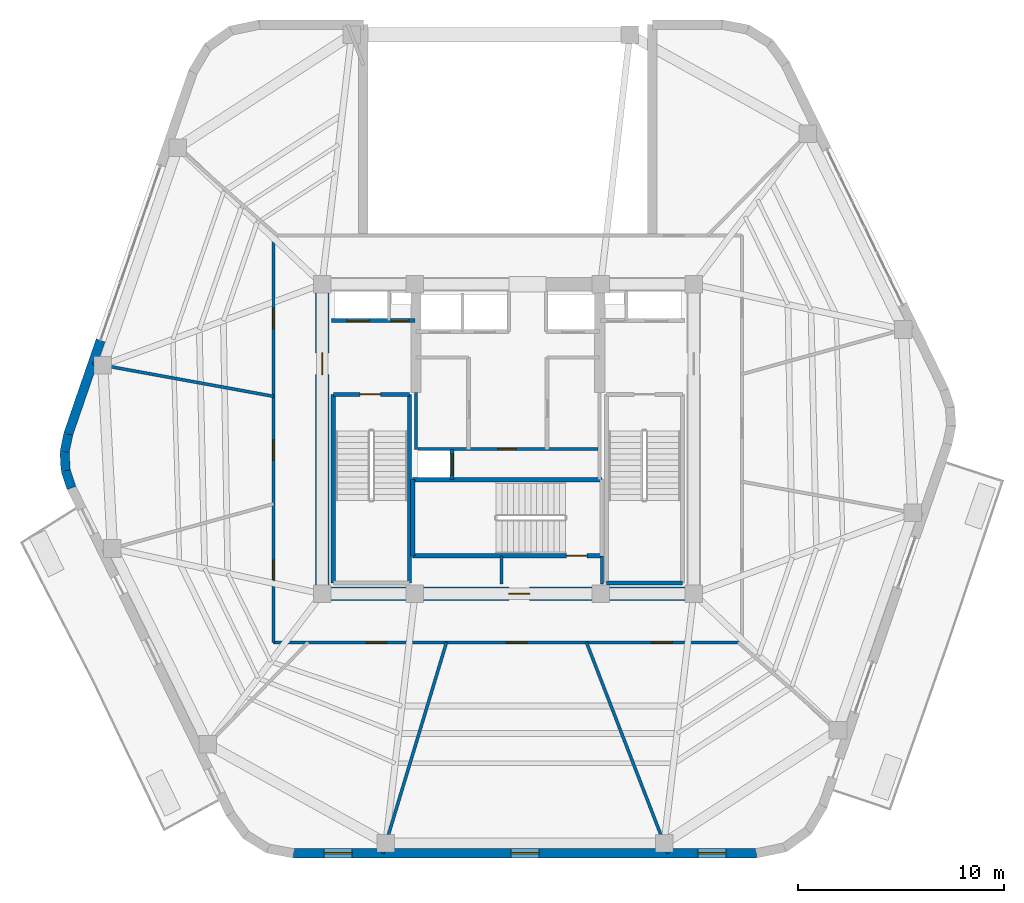
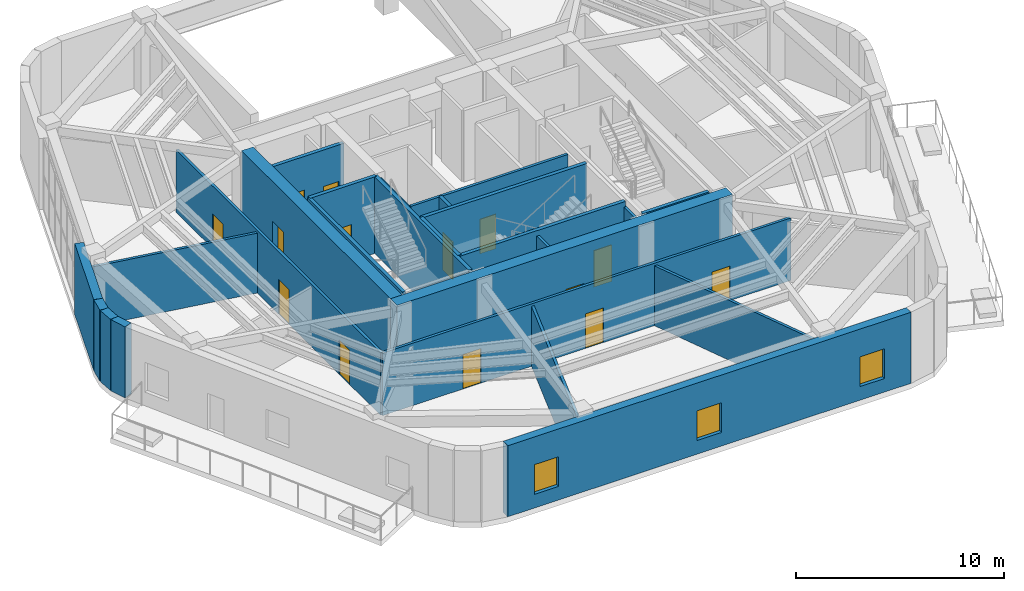
# One storey, part 11 of 15: 25 walls, 14 doors, 3 windows, 17 openings.
"""IFC4 building model written with IfcOpenShell, lengths in metres."""

from ifc_helpers import new_model, si_unit, direction, frame, frame_2d, origin, place, context, subcontext, project, spatial, rectangle, extrude, material, layer, layer_set, type_object, element, fill, save


model = new_model("IFC4")

# Units and contexts
model_context = context("Model", 3, precision=1e-05, world=origin(), true_north=direction((0.0, 1.0)))
body_context = subcontext(model_context, "Body", "Model", "MODEL_VIEW")
ifc_project = project(units=[si_unit("LENGTHUNIT", "METRE"), si_unit("AREAUNIT", "SQUARE_METRE"), si_unit("VOLUMEUNIT", "CUBIC_METRE"), si_unit("PLANEANGLEUNIT", "RADIAN"), si_unit("MASSUNIT", "GRAM", prefix="KILO")], contexts=[model_context])

# Site, building, storey
site_placement = place(None, origin())
site = spatial("IfcSite", under=ifc_project, at=site_placement, CompositionType="ELEMENT")
building_placement = place(site_placement, origin())
building = spatial("IfcBuilding", under=site, at=building_placement, Name="Kilnhurst Terrace Hotel", CompositionType="ELEMENT")
storey_placement = place(building_placement, frame((0.0, 0.0, 293.10009765625)))
storey = spatial("IfcBuildingStorey", under=building, at=storey_placement, Name="L73", CompositionType="ELEMENT", Elevation=293.10009765625)

# Walls
ifc_material_1 = material(Name="Precast concrete C40/50", Category="concrete")
ifc_layer_1 = layer(ifc_material_1, 0.449951171875, Name="Precast concrete C40/50")
ifc_layer_set_1 = layer_set([ifc_layer_1], Name="Precast concrete C40/50")
wall_type_1 = type_object("IfcWallType", Name="WL-BRK-450", PredefinedType="SOLIDWALL", material=ifc_layer_set_1)
wall_1_placement = place(storey_placement, frame((-21.297607421875, 0.2333984375, 0.0), z_axis=(0.0, 0.0, 1.0), x_axis=(-0.199158176661, -0.979967356941, 0.0)))
element("IfcWall", 1, at=wall_1_placement, inside=storey, type_object=wall_type_1, Name="L73 Rounded Corner Brick Wall C6.1", PredefinedType="SOLIDWALL", context=body_context, shape_type="SweptSolid", body=[
    extrude(rectangle(XDim=0.894775390625, YDim=0.449951171875, at=frame_2d((0.447265625, 0.0))), origin(), (0.0, 0.0, 1.0), 4.179931640625),
])
wall_2_placement = place(storey_placement, frame((-21.475830078125, -0.6435546875, 0.0), z_axis=(0.0, 0.0, 1.0), x_axis=(0.061031097918, -0.998135865044, 0.0)))
element("IfcWall", 2, at=wall_2_placement, inside=storey, type_object=wall_type_1, Name="L73 Rounded Corner Brick Wall C6.2", PredefinedType="SOLIDWALL", context=body_context, shape_type="SweptSolid", body=[
    extrude(rectangle(XDim=0.880126953125, YDim=0.449951171875, at=frame_2d((0.43994140625, 0.0))), origin(), (0.0, 0.0, 1.0), 4.179931640625),
])
wall_3_placement = place(storey_placement, frame((-21.422119140625, -1.52197265625, 0.0), z_axis=(0.0, 0.0, 1.0), x_axis=(0.316964162323, -0.94843751497, 0.0)))
element("IfcWall", 3, at=wall_3_placement, inside=storey, type_object=wall_type_1, Name="L73 Rounded Corner Brick Wall C6.3", PredefinedType="SOLIDWALL", context=body_context, shape_type="SweptSolid", body=[
    extrude(rectangle(XDim=0.89501953125, YDim=0.449951171875, at=frame_2d((0.447509765625, 0.0))), origin(), (0.0, 0.0, 1.0), 4.179931640625),
])

# Wall, openings, windows
wall_4_placement = place(storey_placement, frame((-10.37890625, -20.074951171875, 0.0), z_axis=(0.0, 0.0, 1.0), x_axis=(1.0, 0.0, 0.0)))
wall_4 = element("IfcWall", 4, at=wall_4_placement, inside=storey, type_object=wall_type_1, Name="L73 Exterior Brick Facade Wall F1", PredefinedType="SOLIDWALL", context=body_context, shape_type="SweptSolid", body=[
    extrude(rectangle(XDim=22.417236328125, YDim=0.449951171875, at=frame_2d((11.20849609375, 0.0))), origin(), (0.0, 0.0, 1.0), 4.179931640625),
])
opening_1_placement = place(wall_4_placement, frame((1.47998046875, 0.0, 0.800048828125)))
opening_1 = element("IfcOpeningElement", 5, at=opening_1_placement, cuts=wall_4, Name="Opening W-06", PredefinedType="OPENING", context=body_context, shape_type="SweptSolid", body=[
    extrude(rectangle(XDim=1.35009765625, YDim=1.75, at=frame_2d((0.675048828125, 0.875))), frame((0.0, 0.23486328125, 0.0), z_axis=(0.0, -1.0, 0.0), x_axis=(1.0, 0.0, 0.0)), (0.0, 0.0, 1.0), 0.469970703125),
])
opening_2_placement = place(wall_4_placement, frame((10.533935546875, 0.0, 0.800048828125)))
opening_2 = element("IfcOpeningElement", 6, at=opening_2_placement, cuts=wall_4, Name="Opening W-06", PredefinedType="OPENING", context=body_context, shape_type="SweptSolid", body=[
    extrude(rectangle(XDim=1.35009765625, YDim=1.75, at=frame_2d((0.675048828125, 0.875))), frame((0.0, 0.23486328125, 0.0), z_axis=(0.0, -1.0, 0.0), x_axis=(1.0, 0.0, 0.0)), (0.0, 0.0, 1.0), 0.469970703125),
])
opening_3_placement = place(wall_4_placement, frame((19.5869140625, 0.0, 0.800048828125)))
opening_3 = element("IfcOpeningElement", 7, at=opening_3_placement, cuts=wall_4, Name="Opening W-06", PredefinedType="OPENING", context=body_context, shape_type="SweptSolid", body=[
    extrude(rectangle(XDim=1.35009765625, YDim=1.75, at=frame_2d((0.675048828125, 0.875))), frame((0.0, 0.23486328125, 0.0), z_axis=(0.0, -1.0, 0.0), x_axis=(1.0, 0.0, 0.0)), (0.0, 0.0, 1.0), 0.469970703125),
])
ifc_material_2 = material(Name="Thermally Broken Bronze Aluminium Alloy 6063-T6 and Low-E Glass", Category="aluminium")
window_type = type_object("IfcWindowType", Name="WIN-1350X1750", PartitioningType="SINGLE_PANEL", PredefinedType="WINDOW", material=ifc_material_2)
window_1_placement = place(opening_1_placement, origin())
window_1 = element("IfcWindow", 8, at=window_1_placement, inside=storey, type_object=window_type, Name="L73 Deep-Set Masonry Window F1.1", OverallHeight=1.75, OverallWidth=1.35009765625, PartitioningType="SINGLE_PANEL", PredefinedType="WINDOW", context=body_context, shape_type="SweptSolid", body=[
    extrude(rectangle(XDim=1.35009765625, YDim=1.75, at=frame_2d((0.675048828125, 0.875))), frame((0.0, 0.030029296875, 0.0), z_axis=(0.0, -1.0, 0.0), x_axis=(1.0, 0.0, 0.0)), (0.0, 0.0, 1.0), 0.06005859375),
])
fill(opening_1, window_1)
window_2_placement = place(opening_2_placement, origin())
window_2 = element("IfcWindow", 9, at=window_2_placement, inside=storey, type_object=window_type, Name="L73 Deep-Set Masonry Window F1.2", OverallHeight=1.75, OverallWidth=1.35009765625, PartitioningType="SINGLE_PANEL", PredefinedType="WINDOW", context=body_context, shape_type="SweptSolid", body=[
    extrude(rectangle(XDim=1.35009765625, YDim=1.75, at=frame_2d((0.675048828125, 0.875))), frame((0.0, 0.030029296875, 0.0), z_axis=(0.0, -1.0, 0.0), x_axis=(1.0, 0.0, 0.0)), (0.0, 0.0, 1.0), 0.06005859375),
])
fill(opening_2, window_2)
window_3_placement = place(opening_3_placement, origin())
window_3 = element("IfcWindow", 10, at=window_3_placement, inside=storey, type_object=window_type, Name="L73 Deep-Set Masonry Window F1.3", OverallHeight=1.75, OverallWidth=1.35009765625, PartitioningType="SINGLE_PANEL", PredefinedType="WINDOW", context=body_context, shape_type="SweptSolid", body=[
    extrude(rectangle(XDim=1.35009765625, YDim=1.75, at=frame_2d((0.675048828125, 0.875))), frame((0.0, 0.030029296875, 0.0), z_axis=(0.0, -1.0, 0.0), x_axis=(1.0, 0.0, 0.0)), (0.0, 0.0, 1.0), 0.06005859375),
])
fill(opening_3, window_3)

# Wall
wall_5_placement = place(storey_placement, frame((-19.734375, 4.775390625, 0.0), z_axis=(0.0, 0.0, 1.0), x_axis=(-0.325437701015, -0.945563484256, 0.0)))
element("IfcWall", 11, at=wall_5_placement, inside=storey, type_object=wall_type_1, Name="L73 Face 5 End Brick Pier", PredefinedType="SOLIDWALL", context=body_context, shape_type="SweptSolid", body=[
    extrude(rectangle(XDim=4.803466796875, YDim=0.449951171875, at=frame_2d((2.40185546875, 0.0))), origin(), (0.0, 0.0, 1.0), 4.179931640625),
])

# Wall, openings, doors
ifc_material_3 = material(Name="Acoustic Double-Gypsum Corridor Partition Assembly")
ifc_layer_2 = layer(ifc_material_3, 0.14990234375, Name="Acoustic Double-Gypsum Corridor Partition Assembly")
ifc_layer_set_2 = layer_set([ifc_layer_2], Name="Acoustic Double-Gypsum Corridor Partition Assembly")
wall_type_2 = type_object("IfcWallType", Name="WL-COR-150", PredefinedType="PARTITIONING", material=ifc_layer_set_2)
wall_6_placement = place(storey_placement, frame((11.35009765625, -9.85009765625, 0.0), z_axis=(0.0, 0.0, 1.0), x_axis=(-1.0, 0.0, 0.0)))
wall_6 = element("IfcWall", 12, at=wall_6_placement, inside=storey, type_object=wall_type_2, Name="L73 Interior Wall WL-L73-COR-03", PredefinedType="PARTITIONING", context=body_context, shape_type="SweptSolid", body=[
    extrude(rectangle(XDim=22.7001953125, YDim=0.14990234375, at=frame_2d((11.35009765625, 0.0))), origin(), (0.0, 0.0, 1.0), 3.669921875),
])
opening_4_placement = place(wall_6_placement, frame((17.219970703125, 0.0, 0.0)))
opening_4 = element("IfcOpeningElement", 13, at=opening_4_placement, cuts=wall_6, Name="Opening D-10A", PredefinedType="OPENING", context=body_context, shape_type="SweptSolid", body=[
    extrude(rectangle(XDim=1.0, YDim=2.030029296875, at=frame_2d((0.5, 1.01513671875))), frame((0.0, 0.0849609375, 0.0), z_axis=(0.0, -1.0, 0.0), x_axis=(1.0, 0.0, 0.0)), (0.0, 0.0, 1.0), 0.169921875),
])
opening_5_placement = place(wall_6_placement, frame((10.428955078125, 0.0, 0.0)))
opening_5 = element("IfcOpeningElement", 14, at=opening_5_placement, cuts=wall_6, Name="Opening D-10A", PredefinedType="OPENING", context=body_context, shape_type="SweptSolid", body=[
    extrude(rectangle(XDim=1.0, YDim=2.030029296875, at=frame_2d((0.5, 1.01513671875))), frame((0.0, 0.0849609375, 0.0), z_axis=(0.0, -1.0, 0.0), x_axis=(1.0, 0.0, 0.0)), (0.0, 0.0, 1.0), 0.169921875),
])
opening_6_placement = place(wall_6_placement, frame((3.39111328125, 0.0, 0.0)))
opening_6 = element("IfcOpeningElement", 15, at=opening_6_placement, cuts=wall_6, Name="Opening D-10A", PredefinedType="OPENING", context=body_context, shape_type="SweptSolid", body=[
    extrude(rectangle(XDim=1.0, YDim=2.030029296875, at=frame_2d((0.5, 1.01513671875))), frame((0.0, 0.0849609375, 0.0), z_axis=(0.0, -1.0, 0.0), x_axis=(1.0, 0.0, 0.0)), (0.0, 0.0, 1.0), 0.169921875),
])
ifc_material_4 = material(Name="Solid-Core American White Oak Interior Door")
door_type_1 = type_object("IfcDoorType", Name="DR-INT-1000", OperationType="NOTDEFINED", PredefinedType="DOOR", material=ifc_material_4)
door_1_placement = place(opening_4_placement, origin())
door_1 = element("IfcDoor", 16, at=door_1_placement, inside=storey, type_object=door_type_1, Name="L73 Botanical Reading Study West Wing Door", OperationType="SINGLE_SWING_RIGHT", OverallHeight=2.030029296875, OverallWidth=1.0, PredefinedType="DOOR", context=body_context, shape_type="SweptSolid", body=[
    extrude(rectangle(XDim=1.0, YDim=2.030029296875, at=frame_2d((0.5, 1.01513671875))), frame((0.0, 0.02490234375, 0.0), z_axis=(0.0, -1.0, 0.0), x_axis=(1.0, 0.0, 0.0)), (0.0, 0.0, 1.0), 0.050048828125),
])
fill(opening_4, door_1)
door_2_placement = place(opening_5_placement, origin())
door_2 = element("IfcDoor", 17, at=door_2_placement, inside=storey, type_object=door_type_1, Name="L73 Botanical Reading Study Center Wing Door", OperationType="SINGLE_SWING_LEFT", OverallHeight=2.030029296875, OverallWidth=1.0, PredefinedType="DOOR", context=body_context, shape_type="SweptSolid", body=[
    extrude(rectangle(XDim=1.0, YDim=2.030029296875, at=frame_2d((0.5, 1.01513671875))), frame((0.0, 0.02490234375, 0.0), z_axis=(0.0, -1.0, 0.0), x_axis=(1.0, 0.0, 0.0)), (0.0, 0.0, 1.0), 0.050048828125),
])
fill(opening_5, door_2)
door_3_placement = place(opening_6_placement, origin())
door_3 = element("IfcDoor", 18, at=door_3_placement, inside=storey, type_object=door_type_1, Name="L73 Botanical Reading Study East Wing Door", OperationType="SINGLE_SWING_RIGHT", OverallHeight=2.030029296875, OverallWidth=1.0, PredefinedType="DOOR", context=body_context, shape_type="SweptSolid", body=[
    extrude(rectangle(XDim=1.0, YDim=2.030029296875, at=frame_2d((0.5, 1.01513671875))), frame((0.0, 0.02490234375, 0.0), z_axis=(0.0, -1.0, 0.0), x_axis=(1.0, 0.0, 0.0)), (0.0, 0.0, 1.0), 0.050048828125),
])
fill(opening_6, door_3)

wall_7_placement = place(storey_placement, frame((-11.35009765625, -9.85009765625, 0.0), z_axis=(0.0, 0.0, 1.0), x_axis=(0.0, 1.0, 0.0)))
wall_7 = element("IfcWall", 19, at=wall_7_placement, inside=storey, type_object=wall_type_2, Name="L73 Interior Wall WL-L73-COR-04", PredefinedType="PARTITIONING", context=body_context, shape_type="SweptSolid", body=[
    extrude(rectangle(XDim=19.7001953125, YDim=0.14990234375, at=frame_2d((9.85009765625, 0.0))), origin(), (0.0, 0.0, 1.0), 3.669921875),
])
opening_7_placement = place(wall_7_placement, frame((15.18896484375, 0.0, 0.0)))
opening_7 = element("IfcOpeningElement", 20, at=opening_7_placement, cuts=wall_7, Name="Opening D-10A", PredefinedType="OPENING", context=body_context, shape_type="SweptSolid", body=[
    extrude(rectangle(XDim=1.0, YDim=2.030029296875, at=frame_2d((0.5, 1.01513671875))), frame((0.0, 0.0849609375, 0.0), z_axis=(0.0, -1.0, 0.0), x_axis=(1.0, 0.0, 0.0)), (0.0, 0.0, 1.0), 0.169921875),
])
opening_8_placement = place(wall_7_placement, frame((8.81005859375, 0.0, 0.0)))
opening_8 = element("IfcOpeningElement", 21, at=opening_8_placement, cuts=wall_7, Name="Opening D-10A", PredefinedType="OPENING", context=body_context, shape_type="SweptSolid", body=[
    extrude(rectangle(XDim=1.0, YDim=2.030029296875, at=frame_2d((0.5, 1.01513671875))), frame((0.0, 0.0849609375, 0.0), z_axis=(0.0, -1.0, 0.0), x_axis=(1.0, 0.0, 0.0)), (0.0, 0.0, 1.0), 0.169921875),
])
opening_9_placement = place(wall_7_placement, frame((2.972900390625, 0.0, 0.0)))
opening_9 = element("IfcOpeningElement", 22, at=opening_9_placement, cuts=wall_7, Name="Opening D-10A", PredefinedType="OPENING", context=body_context, shape_type="SweptSolid", body=[
    extrude(rectangle(XDim=1.0, YDim=2.030029296875, at=frame_2d((0.5, 1.01513671875))), frame((0.0, 0.0849609375, 0.0), z_axis=(0.0, -1.0, 0.0), x_axis=(1.0, 0.0, 0.0)), (0.0, 0.0, 1.0), 0.169921875),
])
door_4_placement = place(opening_7_placement, origin())
door_4 = element("IfcDoor", 23, at=door_4_placement, inside=storey, type_object=door_type_1, Name="L73 Summit Executive Boardroom West Wing Door", OperationType="SINGLE_SWING_LEFT", OverallHeight=2.030029296875, OverallWidth=1.0, PredefinedType="DOOR", context=body_context, shape_type="SweptSolid", body=[
    extrude(rectangle(XDim=1.0, YDim=2.030029296875, at=frame_2d((0.5, 1.01513671875))), frame((0.0, 0.02490234375, 0.0), z_axis=(0.0, -1.0, 0.0), x_axis=(1.0, 0.0, 0.0)), (0.0, 0.0, 1.0), 0.050048828125),
])
fill(opening_7, door_4)
door_5_placement = place(opening_8_placement, origin())
door_5 = element("IfcDoor", 24, at=door_5_placement, inside=storey, type_object=door_type_1, Name="L73 Summit Executive Boardroom Center Wing Door", OperationType="SINGLE_SWING_RIGHT", OverallHeight=2.030029296875, OverallWidth=1.0, PredefinedType="DOOR", context=body_context, shape_type="SweptSolid", body=[
    extrude(rectangle(XDim=1.0, YDim=2.030029296875, at=frame_2d((0.5, 1.01513671875))), frame((0.0, 0.02490234375, 0.0), z_axis=(0.0, -1.0, 0.0), x_axis=(1.0, 0.0, 0.0)), (0.0, 0.0, 1.0), 0.050048828125),
])
fill(opening_8, door_5)
door_6_placement = place(opening_9_placement, origin())
door_6 = element("IfcDoor", 25, at=door_6_placement, inside=storey, type_object=door_type_1, Name="L73 Summit Executive Boardroom East Wing Door", OperationType="SINGLE_SWING_LEFT", OverallHeight=2.030029296875, OverallWidth=1.0, PredefinedType="DOOR", context=body_context, shape_type="SweptSolid", body=[
    extrude(rectangle(XDim=1.0, YDim=2.030029296875, at=frame_2d((0.5, 1.01513671875))), frame((0.0, 0.02490234375, 0.0), z_axis=(0.0, -1.0, 0.0), x_axis=(1.0, 0.0, 0.0)), (0.0, 0.0, 1.0), 0.050048828125),
])
fill(opening_9, door_6)

# Wall, opening, door
ifc_material_5 = material(Name="Concrete C60/75", Category="concrete")
ifc_layer_3 = layer(ifc_material_5, 0.64990234375, Name="Concrete C60/75")
ifc_layer_set_3 = layer_set([ifc_layer_3], Name="Concrete C60/75")
wall_type_3 = type_object("IfcWallType", Name="WL-CORE-650", PredefinedType="SHEAR", material=ifc_layer_set_3)
wall_8_placement = place(storey_placement, frame((-9.324951171875, -7.5, 0.0), z_axis=(0.0, 0.0, 1.0), x_axis=(1.0, 0.0, 0.0)))
wall_8 = element("IfcWall", 26, at=wall_8_placement, inside=storey, type_object=wall_type_3, Name="L73 Core South Shear Wall", PredefinedType="SHEAR", context=body_context, shape_type="SweptSolid", body=[
    extrude(rectangle(XDim=18.64990234375, YDim=0.64990234375, at=frame_2d((9.324951171875, 0.0))), origin(), (0.0, 0.0, 1.0), 4.5),
])
opening_10_placement = place(wall_8_placement, frame((9.375, 0.0, 0.0)))
opening_10 = element("IfcOpeningElement", 27, at=opening_10_placement, cuts=wall_8, Name="Opening D-90B", PredefinedType="OPENING", context=body_context, shape_type="SweptSolid", body=[
    extrude(rectangle(XDim=1.0, YDim=2.14990234375, at=frame_2d((0.5, 1.074951171875))), frame((0.0, 0.3349609375, 0.0), z_axis=(0.0, -1.0, 0.0), x_axis=(1.0, 0.0, 0.0)), (0.0, 0.0, 1.0), 0.669921875),
])
ifc_material_6 = material(Name="Painted Hollow Metal Steel ASTM A36 Fire Door", Category="steel")
door_type_2 = type_object("IfcDoorType", Name="DR-FD90-1000", OperationType="NOTDEFINED", PredefinedType="DOOR", material=ifc_material_6)
door_7_placement = place(opening_10_placement, origin())
door_7 = element("IfcDoor", 28, at=door_7_placement, inside=storey, type_object=door_type_2, Name="L73 Stair ST-3 Corridor Door", OperationType="SINGLE_SWING_RIGHT", OverallHeight=2.14990234375, OverallWidth=1.0, PredefinedType="DOOR", context=body_context, shape_type="SweptSolid", body=[
    extrude(rectangle(XDim=1.0, YDim=2.14990234375, at=frame_2d((0.5, 1.074951171875))), frame((0.0, 0.02490234375, 0.0), z_axis=(0.0, -1.0, 0.0), x_axis=(1.0, 0.0, 0.0)), (0.0, 0.0, 1.0), 0.050048828125),
])
fill(opening_10, door_7)

wall_9_placement = place(storey_placement, frame((-9.0, -7.175048828125, 0.0), z_axis=(0.0, 0.0, 1.0), x_axis=(0.0, 1.0, 0.0)))
wall_9 = element("IfcWall", 29, at=wall_9_placement, inside=storey, type_object=wall_type_3, Name="L73 Core West Shear Wall", PredefinedType="SHEAR", context=body_context, shape_type="SweptSolid", body=[
    extrude(rectangle(XDim=14.35009765625, YDim=0.64990234375, at=frame_2d((7.175048828125, 0.0))), origin(), (0.0, 0.0, 1.0), 4.5),
])
opening_11_placement = place(wall_9_placement, frame((10.300048828125, 0.0, 0.0)))
opening_11 = element("IfcOpeningElement", 30, at=opening_11_placement, cuts=wall_9, Name="Opening D-90A", PredefinedType="OPENING", context=body_context, shape_type="SweptSolid", body=[
    extrude(rectangle(XDim=1.050048828125, YDim=2.14990234375, at=frame_2d((0.52490234375, 1.074951171875))), frame((0.0, 0.3349609375, 0.0), z_axis=(0.0, -1.0, 0.0), x_axis=(1.0, 0.0, 0.0)), (0.0, 0.0, 1.0), 0.669921875),
])
door_type_3 = type_object("IfcDoorType", Name="DR-FD90-1050", OperationType="NOTDEFINED", PredefinedType="DOOR", material=ifc_material_6)
door_8_placement = place(opening_11_placement, origin())
door_8 = element("IfcDoor", 31, at=door_8_placement, inside=storey, type_object=door_type_3, Name="L73 West Firefighting Lobby Door", OperationType="SINGLE_SWING_RIGHT", OverallHeight=2.14990234375, OverallWidth=1.050048828125, PredefinedType="DOOR", context=body_context, shape_type="SweptSolid", body=[
    extrude(rectangle(XDim=1.050048828125, YDim=2.14990234375, at=frame_2d((0.52490234375, 1.074951171875))), frame((0.0, 0.02490234375, 0.0), z_axis=(0.0, -1.0, 0.0), x_axis=(1.0, 0.0, 0.0)), (0.0, 0.0, 1.0), 0.050048828125),
])
fill(opening_11, door_8)

# Walls
ifc_material_7 = material(Name="150 mm Acoustic Gypsum Hospitality Partition")
ifc_layer_4 = layer(ifc_material_7, 0.14990234375, Name="150 mm Acoustic Gypsum Hospitality Partition")
ifc_layer_set_4 = layer_set([ifc_layer_4], Name="150 mm Acoustic Gypsum Hospitality Partition")
wall_type_4 = type_object("IfcWallType", Name="WL-PART-150", PredefinedType="PARTITIONING", material=ifc_layer_set_4)
wall_10_placement = place(storey_placement, frame((-11.35009765625, 2.067138671875, 0.0), z_axis=(0.0, 0.0, 1.0), x_axis=(-0.983816386236, 0.179179569634, 0.0)))
element("IfcWall", 32, at=wall_10_placement, inside=storey, type_object=wall_type_4, Name="L73 Interior Wall WL-L73-SCOL-06-1", PredefinedType="PARTITIONING", context=body_context, shape_type="SweptSolid", body=[
    extrude(rectangle(XDim=8.9111328125, YDim=0.14990234375, at=frame_2d((4.45556640625, 0.0))), origin(), (0.0, 0.0, 1.0), 3.52001953125),
])
wall_11_placement = place(storey_placement, frame((-2.97216796875, -9.85009765625, 0.0), z_axis=(0.0, 0.0, 1.0), x_axis=(-0.288872169679, -0.957367677324, 0.0)))
element("IfcWall", 33, at=wall_11_placement, inside=storey, type_object=wall_type_4, Name="L73 Interior Wall WL-L73-SCOL-09-1", PredefinedType="PARTITIONING", context=body_context, shape_type="SweptSolid", body=[
    extrude(rectangle(XDim=10.68017578125, YDim=0.14990234375, at=frame_2d((5.340087890625, 0.0))), origin(), (0.0, 0.0, 1.0), 3.52001953125),
])
wall_12_placement = place(storey_placement, frame((3.8076171875, -9.85009765625, 0.0), z_axis=(0.0, 0.0, 1.0), x_axis=(0.360587327934, -0.932725457427, 0.0)))
element("IfcWall", 34, at=wall_12_placement, inside=storey, type_object=wall_type_4, Name="L73 Interior Wall WL-L73-SCOL-10-1", PredefinedType="PARTITIONING", context=body_context, shape_type="SweptSolid", body=[
    extrude(rectangle(XDim=10.96240234375, YDim=0.14990234375, at=frame_2d((5.481201171875, 0.0))), origin(), (0.0, 0.0, 1.0), 3.52001953125),
])
ifc_material_8 = material(Name="Fire-Rated Gypsum Shaftliner Assembly")
ifc_layer_5 = layer(ifc_material_8, 0.14990234375, Name="Fire-Rated Gypsum Shaftliner Assembly")
ifc_layer_set_5 = layer_set([ifc_layer_5], Name="Fire-Rated Gypsum Shaftliner Assembly")
wall_type_5 = type_object("IfcWallType", Name="WL-SHAFT-150", PredefinedType="PARTITIONING", material=ifc_layer_set_5)
for number, where, z_axis, x_axis, name in (
    (35, (-0.300048828125, -7.02001953125, 0.0), (0.0, 0.0, 1.0), (0.0, 1.0, 0.0), "L73 Interior Wall WL-L73-ST3-PSGW"),
    (36, (4.55810546875, -7.02001953125, 0.0), (0.0, 0.0, 1.0), (0.0, 1.0, 0.0), "L73 Interior Wall WL-L73-ST3-PSGE"),
):
    element("IfcWall", number, at=place(storey_placement, frame(where, z_axis=z_axis, x_axis=x_axis)), inside=storey, type_object=wall_type_5, Name=name, PredefinedType="PARTITIONING", context=body_context, shape_type="SweptSolid", body=[
        extrude(rectangle(XDim=1.362060546875, YDim=0.14990234375, at=frame_2d((0.68115234375, 0.0))), origin(), (0.0, 0.0, 1.0), 4.179931640625),
    ])
wall_13_placement = place(storey_placement, frame((-4.449951171875, -0.5, 0.0), z_axis=(0.0, 0.0, 1.0), x_axis=(0.0, 1.0, 0.0)))
element("IfcWall", 37, at=wall_13_placement, inside=storey, type_object=wall_type_5, Name="L73 Interior Wall WL-L73-XLOB-W", PredefinedType="PARTITIONING", context=body_context, shape_type="SweptSolid", body=[
    extrude(rectangle(XDim=2.75, YDim=0.14990234375, at=frame_2d((1.375, 0.0))), origin(), (0.0, 0.0, 1.0), 4.179931640625),
])

# Wall, opening, door
wall_14_placement = place(storey_placement, frame((-4.360107421875, -0.489990234375, 0.0), z_axis=(0.0, 0.0, 1.0), x_axis=(1.0, 0.0, 0.0)))
wall_14 = element("IfcWall", 38, at=wall_14_placement, inside=storey, type_object=wall_type_5, Name="L73 Interior Wall WL-L73-BOH-N", PredefinedType="PARTITIONING", context=body_context, shape_type="SweptSolid", body=[
    extrude(rectangle(XDim=8.72021484375, YDim=0.14990234375, at=frame_2d((4.360107421875, 0.0))), origin(), (0.0, 0.0, 1.0), 4.179931640625),
])
opening_12_placement = place(wall_14_placement, frame((3.860107421875, 0.0, 0.0)))
opening_12 = element("IfcOpeningElement", 39, at=opening_12_placement, cuts=wall_14, Name="Opening D-60C", PredefinedType="OPENING", context=body_context, shape_type="SweptSolid", body=[
    extrude(rectangle(XDim=0.89990234375, YDim=2.030029296875, at=frame_2d((0.449951171875, 1.01513671875))), frame((0.0, 0.0849609375, 0.0), z_axis=(0.0, -1.0, 0.0), x_axis=(1.0, 0.0, 0.0)), (0.0, 0.0, 1.0), 0.169921875),
])
ifc_material_9 = material(Name="Painted Solid-Core Service Fire Door")
door_type_4 = type_object("IfcDoorType", Name="DR-FD60-900", OperationType="NOTDEFINED", PredefinedType="DOOR", material=ifc_material_9)
door_9_placement = place(opening_12_placement, origin())
door_9 = element("IfcDoor", 40, at=door_9_placement, inside=storey, type_object=door_type_4, Name="L73 Housekeeping Laundry Door", OperationType="SINGLE_SWING_LEFT", OverallHeight=2.030029296875, OverallWidth=0.89990234375, PredefinedType="DOOR", context=body_context, shape_type="SweptSolid", body=[
    extrude(rectangle(XDim=0.89990234375, YDim=2.030029296875, at=frame_2d((0.449951171875, 1.01513671875))), frame((0.0, 0.02490234375, 0.0), z_axis=(0.0, -1.0, 0.0), x_axis=(1.0, 0.0, 0.0)), (0.0, 0.0, 1.0), 0.050048828125),
])
fill(opening_12, door_9)

# Wall, openings, doors
ifc_material_10 = material(Name="Autoclaved Aerated Concrete C30/37 and Gypsum Shaft Assembly", Category="concrete")
ifc_layer_6 = layer(ifc_material_10, 0.199951171875, Name="Autoclaved Aerated Concrete C30/37 and Gypsum Shaft Assembly")
ifc_layer_set_6 = layer_set([ifc_layer_6], Name="Autoclaved Aerated Concrete C30/37 and Gypsum Shaft Assembly")
wall_type_6 = type_object("IfcWallType", Name="WL-SHAFT-200", PredefinedType="PARTITIONING", material=ifc_layer_set_6)
wall_15_placement = place(storey_placement, frame((-8.550048828125, 5.739990234375, 0.0), z_axis=(0.0, 0.0, 1.0), x_axis=(1.0, 0.0, 0.0)))
wall_15 = element("IfcWall", 41, at=wall_15_placement, inside=storey, type_object=wall_type_6, Name="L73 Interior Wall WL-L73-FSAE1-S", PredefinedType="PARTITIONING", context=body_context, shape_type="SweptSolid", body=[
    extrude(rectangle(XDim=4.050048828125, YDim=0.199951171875, at=frame_2d((2.02490234375, 0.0))), origin(), (0.0, 0.0, 1.0), 4.179931640625),
])
opening_13_placement = place(wall_15_placement, frame((0.75, 0.0, 0.0)))
opening_13 = element("IfcOpeningElement", 42, at=opening_13_placement, cuts=wall_15, Name="Opening LD-F1", PredefinedType="OPENING", context=body_context, shape_type="SweptSolid", body=[
    extrude(rectangle(XDim=1.10009765625, YDim=2.199951171875, at=frame_2d((0.550048828125, 1.10009765625))), frame((0.0, 0.10986328125, 0.0), z_axis=(0.0, -1.0, 0.0), x_axis=(1.0, 0.0, 0.0)), (0.0, 0.0, 1.0), 0.219970703125),
])
opening_14_placement = place(wall_15_placement, frame((2.89990234375, 0.0, 0.0)))
opening_14 = element("IfcOpeningElement", 43, at=opening_14_placement, cuts=wall_15, Name="Opening D-60D", PredefinedType="OPENING", context=body_context, shape_type="SweptSolid", body=[
    extrude(rectangle(XDim=0.85009765625, YDim=2.030029296875, at=frame_2d((0.425048828125, 1.01513671875))), frame((0.0, 0.10986328125, 0.0), z_axis=(0.0, -1.0, 0.0), x_axis=(1.0, 0.0, 0.0)), (0.0, 0.0, 1.0), 0.219970703125),
])
ifc_material_11 = material(Name="Painted Hollow Metal Steel ASTM A36 Riser Door", Category="steel")
door_type_5 = type_object("IfcDoorType", Name="DR-FD60-850", OperationType="NOTDEFINED", PredefinedType="DOOR", material=ifc_material_11)
door_10_placement = place(opening_14_placement, origin())
door_10 = element("IfcDoor", 44, at=door_10_placement, inside=storey, type_object=door_type_5, Name="L73 Electrical Riser Door", OperationType="SINGLE_SWING_LEFT", OverallHeight=2.030029296875, OverallWidth=0.85009765625, PredefinedType="DOOR", context=body_context, shape_type="SweptSolid", body=[
    extrude(rectangle(XDim=0.85009765625, YDim=2.030029296875, at=frame_2d((0.425048828125, 1.01513671875))), frame((0.0, 0.02490234375, 0.0), z_axis=(0.0, -1.0, 0.0), x_axis=(1.0, 0.0, 0.0)), (0.0, 0.0, 1.0), 0.050048828125),
])
fill(opening_14, door_10)
ifc_material_12 = material(Name="Bronze-Anodized Stainless Steel AISI 316L Sliding Door", Category="steel")
door_type_6 = type_object("IfcDoorType", Name="DR-LIFT-1100", OperationType="NOTDEFINED", PredefinedType="DOOR", material=ifc_material_12)
door_11_placement = place(opening_13_placement, origin())
door_11 = element("IfcDoor", 45, at=door_11_placement, inside=storey, type_object=door_type_6, Name="L73 FSAE-1 Landing Door", OperationType="SLIDING_TO_LEFT", OverallHeight=2.199951171875, OverallWidth=1.10009765625, PredefinedType="DOOR", context=body_context, shape_type="SweptSolid", body=[
    extrude(rectangle(XDim=1.10009765625, YDim=2.199951171875, at=frame_2d((0.550048828125, 1.10009765625))), frame((0.0, 0.02490234375, 0.0), z_axis=(0.0, -1.0, 0.0), x_axis=(1.0, 0.0, 0.0)), (0.0, 0.0, 1.0), 0.050048828125),
])
fill(opening_13, door_11)

# Wall, opening, door
wall_16_placement = place(storey_placement, frame((-2.699951171875, -1.971923828125, 0.0), z_axis=(0.0, 0.0, 1.0), x_axis=(0.0, 1.0, 0.0)))
wall_16 = element("IfcWall", 46, at=wall_16_placement, inside=storey, type_object=wall_type_6, Name="L73 Interior Wall WL-L73-SRV1-E", PredefinedType="PARTITIONING", context=body_context, shape_type="SweptSolid", body=[
    extrude(rectangle(XDim=1.471923828125, YDim=0.199951171875, at=frame_2d((0.73583984375, 0.0))), origin(), (0.0, 0.0, 1.0), 4.179931640625),
])
opening_15_placement = place(wall_16_placement, frame((0.239990234375, 0.0, 0.0)))
opening_15 = element("IfcOpeningElement", 47, at=opening_15_placement, cuts=wall_16, Name="Opening LD-SV", PredefinedType="OPENING", context=body_context, shape_type="SweptSolid", body=[
    extrude(rectangle(XDim=1.0, YDim=2.199951171875, at=frame_2d((0.5, 1.10009765625))), frame((0.0, 0.10986328125, 0.0), z_axis=(0.0, -1.0, 0.0), x_axis=(1.0, 0.0, 0.0)), (0.0, 0.0, 1.0), 0.219970703125),
])
door_type_7 = type_object("IfcDoorType", Name="DR-LIFT-1000", OperationType="NOTDEFINED", PredefinedType="DOOR", material=ifc_material_12)
door_12_placement = place(opening_15_placement, origin())
door_12 = element("IfcDoor", 48, at=door_12_placement, inside=storey, type_object=door_type_7, Name="L73 Service Lift SRV-1 Landing Door", OperationType="SLIDING_TO_LEFT", OverallHeight=2.199951171875, OverallWidth=1.0, PredefinedType="DOOR", context=body_context, shape_type="SweptSolid", body=[
    extrude(rectangle(XDim=1.0, YDim=2.199951171875, at=frame_2d((0.5, 1.10009765625))), frame((0.0, 0.02490234375, 0.0), z_axis=(0.0, -1.0, 0.0), x_axis=(1.0, 0.0, 0.0)), (0.0, 0.0, 1.0), 0.050048828125),
])
fill(opening_15, door_12)

# Walls
ifc_material_13 = material(Name="Concrete C50/60", Category="concrete")
ifc_layer_7 = layer(ifc_material_13, 0.199951171875, Name="Concrete C50/60")
ifc_layer_set_7 = layer_set([ifc_layer_7], Name="Concrete C50/60")
wall_type_7 = type_object("IfcWallType", Name="WL-STAIR-RC-200", PredefinedType="SHEAR", material=ifc_layer_set_7)
for number, where, z_axis, x_axis, name in (
    (49, (-8.4580078125, -6.985107421875, 0.0), (0.0, 0.0, 1.0), (0.0, 1.0, 0.0), "L73 Structural Stair Shaft Wall WL-L73-ST1-W"),
    (50, (-4.77197265625, -6.985107421875, 0.0), (0.0, 0.0, 1.0), (0.0, 1.0, 0.0), "L73 Structural Stair Shaft Wall WL-L73-ST1-E"),
):
    element("IfcWall", number, at=place(storey_placement, frame(where, z_axis=z_axis, x_axis=x_axis)), inside=storey, type_object=wall_type_7, Name=name, PredefinedType="SHEAR", context=body_context, shape_type="SweptSolid", body=[
        extrude(rectangle(XDim=9.14306640625, YDim=0.199951171875, at=frame_2d((4.571533203125, 0.0))), origin(), (0.0, 0.0, 1.0), 4.5),
    ])

# Wall, opening, door
wall_17_placement = place(storey_placement, frame((-8.4580078125, 2.157958984375, 0.0), z_axis=(0.0, 0.0, 1.0), x_axis=(1.0, 0.0, 0.0)))
wall_17 = element("IfcWall", 51, at=wall_17_placement, inside=storey, type_object=wall_type_7, Name="L73 Structural Stair Shaft Wall WL-L73-ST1-N", PredefinedType="SHEAR", context=body_context, shape_type="SweptSolid", body=[
    extrude(rectangle(XDim=3.68603515625, YDim=0.199951171875, at=frame_2d((1.843017578125, 0.0))), origin(), (0.0, 0.0, 1.0), 4.5),
])
opening_16_placement = place(wall_17_placement, frame((1.300048828125, 0.0, 0.0)))
opening_16 = element("IfcOpeningElement", 52, at=opening_16_placement, cuts=wall_17, Name="Opening D-90B", PredefinedType="OPENING", context=body_context, shape_type="SweptSolid", body=[
    extrude(rectangle(XDim=1.0, YDim=2.14990234375, at=frame_2d((0.5, 1.074951171875))), frame((0.0, 0.10986328125, 0.0), z_axis=(0.0, -1.0, 0.0), x_axis=(1.0, 0.0, 0.0)), (0.0, 0.0, 1.0), 0.219970703125),
])
door_13_placement = place(opening_16_placement, origin())
door_13 = element("IfcDoor", 53, at=door_13_placement, inside=storey, type_object=door_type_2, Name="L73 Stair ST-1 Door", OperationType="SINGLE_SWING_LEFT", OverallHeight=2.14990234375, OverallWidth=1.0, PredefinedType="DOOR", context=body_context, shape_type="SweptSolid", body=[
    extrude(rectangle(XDim=1.0, YDim=2.14990234375, at=frame_2d((0.5, 1.074951171875))), frame((0.0, 0.02490234375, 0.0), z_axis=(0.0, -1.0, 0.0), x_axis=(1.0, 0.0, 0.0)), (0.0, 0.0, 1.0), 0.050048828125),
])
fill(opening_16, door_13)

# Walls
for number, where, z_axis, x_axis, name in (
    (54, (4.77197265625, -6.985107421875, 0.0), (0.0, 0.0, 1.0), (1.0, 0.0, 0.0), "L73 Structural Stair Shaft Wall WL-L73-ST2-S"),
    (55, (-4.60791015625, -5.657958984375, 0.0), (0.0, 0.0, 1.0), (0.0, 1.0, 0.0), "L73 Structural Stair Shaft Wall WL-L73-ST3-W"),
):
    element("IfcWall", number, at=place(storey_placement, frame(where, z_axis=z_axis, x_axis=x_axis)), inside=storey, type_object=wall_type_7, Name=name, PredefinedType="SHEAR", context=body_context, shape_type="SweptSolid", body=[
        extrude(rectangle(XDim=3.68603515625, YDim=0.199951171875, at=frame_2d((1.843017578125, 0.0))), origin(), (0.0, 0.0, 1.0), 4.5),
    ])

# Wall, opening, door
wall_18_placement = place(storey_placement, frame((-4.60791015625, -5.657958984375, 0.0), z_axis=(0.0, 0.0, 1.0), x_axis=(1.0, 0.0, 0.0)))
wall_18 = element("IfcWall", 56, at=wall_18_placement, inside=storey, type_object=wall_type_7, Name="L73 Structural Stair Shaft Wall WL-L73-ST3-S", PredefinedType="SHEAR", context=body_context, shape_type="SweptSolid", body=[
    extrude(rectangle(XDim=9.166015625, YDim=0.199951171875, at=frame_2d((4.5830078125, 0.0))), origin(), (0.0, 0.0, 1.0), 4.5),
])
opening_17_placement = place(wall_18_placement, frame((7.449951171875, 0.0, 0.0)))
opening_17 = element("IfcOpeningElement", 57, at=opening_17_placement, cuts=wall_18, Name="Opening D-90B", PredefinedType="OPENING", context=body_context, shape_type="SweptSolid", body=[
    extrude(rectangle(XDim=1.0, YDim=2.14990234375, at=frame_2d((0.5, 1.074951171875))), frame((0.0, 0.10986328125, 0.0), z_axis=(0.0, -1.0, 0.0), x_axis=(1.0, 0.0, 0.0)), (0.0, 0.0, 1.0), 0.219970703125),
])
door_14_placement = place(opening_17_placement, origin())
door_14 = element("IfcDoor", 58, at=door_14_placement, inside=storey, type_object=door_type_2, Name="L73 Stair ST-3 Shaft Door", OperationType="SINGLE_SWING_LEFT", OverallHeight=2.14990234375, OverallWidth=1.0, PredefinedType="DOOR", context=body_context, shape_type="SweptSolid", body=[
    extrude(rectangle(XDim=1.0, YDim=2.14990234375, at=frame_2d((0.5, 1.074951171875))), frame((0.0, 0.02490234375, 0.0), z_axis=(0.0, -1.0, 0.0), x_axis=(1.0, 0.0, 0.0)), (0.0, 0.0, 1.0), 0.050048828125),
])
fill(opening_17, door_14)

# Wall
wall_19_placement = place(storey_placement, frame((-4.60791015625, -1.971923828125, 0.0), z_axis=(0.0, 0.0, 1.0), x_axis=(1.0, 0.0, 0.0)))
element("IfcWall", 59, at=wall_19_placement, inside=storey, type_object=wall_type_7, Name="L73 Structural Stair Shaft Wall WL-L73-ST3-N", PredefinedType="SHEAR", context=body_context, shape_type="SweptSolid", body=[
    extrude(rectangle(XDim=9.166015625, YDim=0.199951171875, at=frame_2d((4.5830078125, 0.0))), origin(), (0.0, 0.0, 1.0), 4.5),
])

save(model, "model.ifc")
